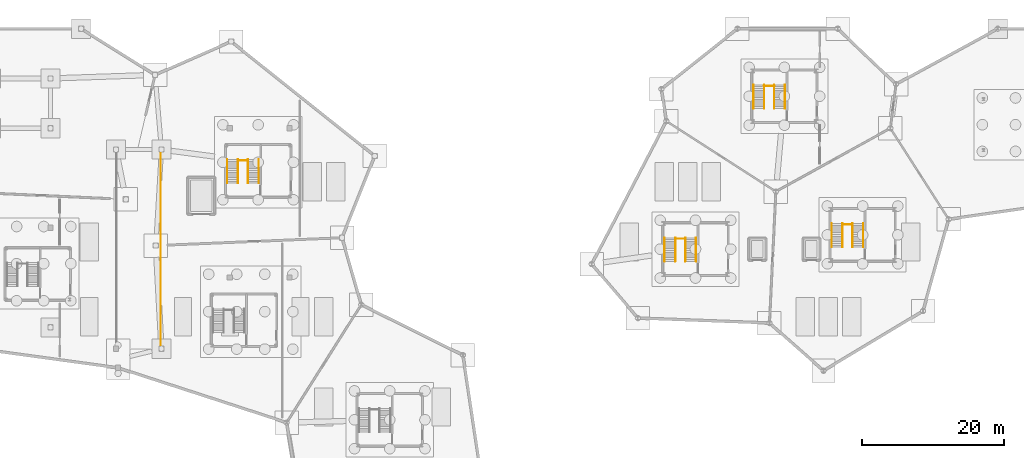
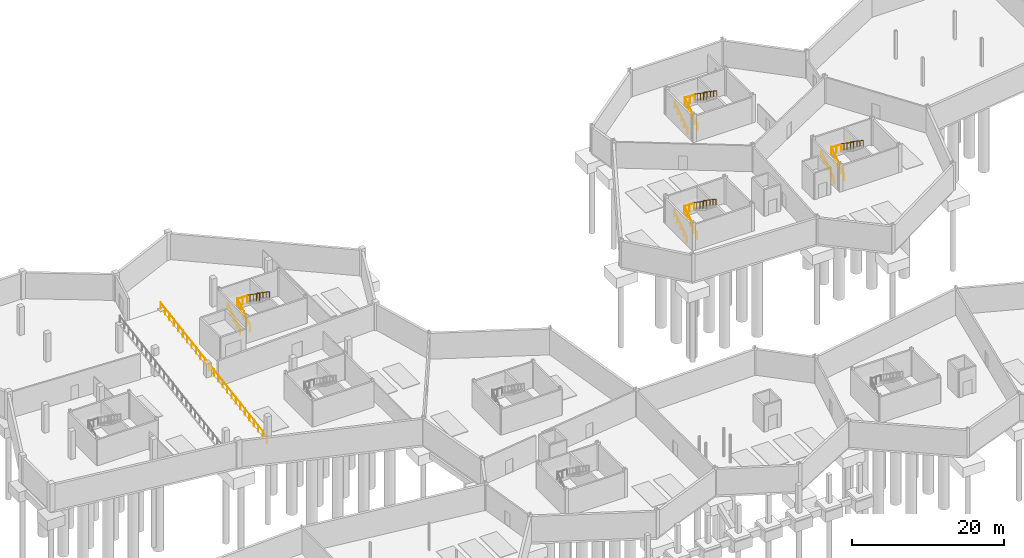
# One storey, part 36 of 37: 21 railings.
"""IFC4 building model written with IfcOpenShell, lengths in metres."""

import ifcopenshell
import ifcopenshell.guid

model = None  # the IFC model being written
_history = None  # IfcOwnerHistory: only IFC2X3 demands one
_inside = {}  # id of a spatial element -> (the spatial element, [elements in it])
_under = {}  # id of a project, library or spatial element -> (it, [spatial elements below it])
_declared = {}  # id of a project -> (the project, [libraries it declares])
_typed = {}  # id of a type object -> (the type object, [elements of that type])
_made_of = {}  # id of a material, layer set ... -> (it, [elements and type objects made of it])


def new_model(schema):
    """Start an empty IFC model of exactly this schema.

    Asked for "IFC4X3", IfcOpenShell would pick the latest addendum, in which some entities
    have other attributes; the version numbers below select the first issue.
    IFC2X3 requires an IfcOwnerHistory on every rooted entity: one is made here for all.
    """
    global model, _history
    if schema == "IFC4X3":
        model = ifcopenshell.file(schema_version=(4, 3, 0, 0))
    else:
        model = ifcopenshell.file(schema=schema)
    _inside.clear()
    _under.clear()
    _declared.clear()
    _typed.clear()
    _made_of.clear()
    _history = None
    if model.schema == "IFC2X3":
        org = make("IfcOrganization", Name="unknown")
        user = make(
            "IfcPersonAndOrganization",
            ThePerson=make("IfcPerson", FamilyName="unknown"),
            TheOrganization=org,
        )
        app = make(
            "IfcApplication",
            ApplicationDeveloper=org,
            Version="unknown",
            ApplicationFullName="unknown",
            ApplicationIdentifier="unknown",
        )
        _history = make(
            "IfcOwnerHistory",
            OwningUser=user,
            OwningApplication=app,
            ChangeAction="ADDED",
            CreationDate=0,
        )
    return model


def make(cls, **values):
    """One entity of the class cls with the attributes given. An attribute that is None is left unset."""
    return model.create_entity(
        cls, **{name: value for name, value in values.items() if value is not None}
    )


def rooted(cls, **values):
    """An entity with a GlobalId (a new one), such as an element, a storey or a relation."""
    return make(cls, GlobalId=ifcopenshell.guid.new(), OwnerHistory=_history, **values)


def si_unit(unit_type, name, prefix=None):
    """IfcSIUnit, for example si_unit("LENGTHUNIT", "METRE", prefix="MILLI")."""
    return make("IfcSIUnit", UnitType=unit_type, Prefix=prefix, Name=name)


def assignment(units):
    """IfcUnitAssignment: the units of a project."""
    return None if units is None else make("IfcUnitAssignment", Units=units)


def point(xyz):
    """IfcCartesianPoint."""
    return None if xyz is None else make("IfcCartesianPoint", Coordinates=xyz)


def direction(xyz):
    """IfcDirection."""
    return None if xyz is None else make("IfcDirection", DirectionRatios=xyz)


def frame(location, z_axis=None, x_axis=None):
    """IfcAxis2Placement3D, a coordinate frame: its origin and axes. An axis left out is left unset."""
    return make(
        "IfcAxis2Placement3D",
        Location=point(location),
        Axis=direction(z_axis),
        RefDirection=direction(x_axis),
    )


def frame_2d(location, x_axis=None):
    """IfcAxis2Placement2D, a coordinate frame in the plane: its origin and x axis."""
    return make(
        "IfcAxis2Placement2D", Location=point(location), RefDirection=direction(x_axis)
    )


def origin():
    """The frame at (0, 0, 0) with its axes left unset."""
    return frame((0.0, 0.0, 0.0))


def origin_2d():
    """The frame at (0, 0) in the plane with its x axis left unset."""
    return frame_2d((0.0, 0.0))


def place(relative_to, where):
    """IfcLocalPlacement: puts the frame where relative to a parent placement (None: the world)."""
    return make(
        "IfcLocalPlacement", PlacementRelTo=relative_to, RelativePlacement=where
    )


def context(
    kind, dimensions, precision=None, world=None, true_north=None, identifier=None
):
    """IfcGeometricRepresentationContext, for example the 3D "Model" context."""
    return make(
        "IfcGeometricRepresentationContext",
        ContextIdentifier=identifier,
        ContextType=kind,
        CoordinateSpaceDimension=dimensions,
        Precision=precision,
        WorldCoordinateSystem=world,
        TrueNorth=true_north,
    )


def subcontext(parent, identifier, kind, view, scale=None):
    """IfcGeometricRepresentationSubContext, for example "Body" below "Model"."""
    return make(
        "IfcGeometricRepresentationSubContext",
        ContextIdentifier=identifier,
        ContextType=kind,
        ParentContext=parent,
        TargetScale=scale,
        TargetView=view,
    )


def project(units=None, contexts=None):
    """IfcProject with its units and contexts."""
    return rooted(
        "IfcProject",
        Name="project",
        RepresentationContexts=contexts,
        UnitsInContext=assignment(units),
    )


def spatial(cls, under=None, at=None, **own):
    """A site, building, storey or space (cls), placed at a placement, below another one or the project."""
    s = rooted(cls, ObjectPlacement=at, **own)
    if under is not None:
        _under.setdefault(under.id(), (under, []))[1].append(s)
    return s


def profile(cls, at=None, kind="AREA", **sizes):
    """A parametric profile (cls). Its sizes go by their IFC names, for example OverallWidth=200.0."""
    return make(cls, ProfileType=kind, Position=at, **sizes)


def circle(**sizes):
    """IfcCircleProfileDef."""
    return profile("IfcCircleProfileDef", **sizes)


def extrude(swept, where, along, depth):
    """IfcExtrudedAreaSolid: the profile swept, set in the frame where, extruded along a direction by depth."""
    return make(
        "IfcExtrudedAreaSolid",
        SweptArea=swept,
        Position=where,
        ExtrudedDirection=direction(along),
        Depth=depth,
    )


def shape(context_of_items, identifier, shape_type, items):
    """IfcShapeRepresentation: the items that make up one representation, for example the "Body"."""
    return make(
        "IfcShapeRepresentation",
        ContextOfItems=context_of_items,
        RepresentationIdentifier=identifier,
        RepresentationType=shape_type,
        Items=items,
    )


def material(Name=None, Category=None):
    """IfcMaterial."""
    return make("IfcMaterial", Name=Name, Category=Category)


def layer(
    of_material, thickness, ventilated=None, Name=None, Category=None, Priority=None
):
    """IfcMaterialLayer: one layer of a wall or slab, of a material (None: an air gap)."""
    return make(
        "IfcMaterialLayer",
        Material=of_material,
        LayerThickness=thickness,
        IsVentilated=ventilated,
        Name=Name,
        Category=Category,
        Priority=Priority,
    )


def layer_set(layers, Name=None):
    """IfcMaterialLayerSet."""
    return make("IfcMaterialLayerSet", MaterialLayers=layers, LayerSetName=Name)


def made_of(thing, what):
    """Note that an element or type object is made of a material, layer set ...; save() writes the relation."""
    if what is not None:
        _made_of.setdefault(what.id(), (what, []))[1].append(thing)
    return thing


def type_object(cls, material=None, **own):
    """A type object (cls), such as IfcWallType, which elements share."""
    return made_of(rooted(cls, **own), material)


def element(
    cls,
    number,
    at=None,
    inside=None,
    cuts=None,
    type_object=None,
    material=None,
    context=None,
    identifier="Body",
    shape_type=None,
    held_by="IfcProductDefinitionShape",
    body=None,
    shapes=None,
    **own,
):
    """One element of the class cls, such as IfcWall. Its Tag is "e" and its number.

    at: its placement. inside: the storey or other place that contains it. cuts: it is an
    opening in that element (IfcRelVoidsElement). A single representation is given by context,
    identifier, shape_type and body (its items); several are given by shapes. held_by: the class
    of the entity that holds the representations. save() writes the other relations.
    """
    e = rooted(cls, Tag="e%d" % number, ObjectPlacement=at, **own)
    if body is not None:
        shapes = [shape(context, identifier, shape_type, body)]
    if shapes is not None:
        e.Representation = make(held_by, Representations=shapes)
    if inside is not None:
        _inside.setdefault(inside.id(), (inside, []))[1].append(e)
    if cuts is not None:
        rooted(
            "IfcRelVoidsElement", RelatingBuildingElement=cuts, RelatedOpeningElement=e
        )
    if type_object is not None:
        _typed.setdefault(type_object.id(), (type_object, []))[1].append(e)
    return made_of(e, material)


def aggregate(whole, parts):
    """IfcRelAggregates: a whole, such as a stair, and the parts it consists of."""
    return rooted("IfcRelAggregates", RelatingObject=whole, RelatedObjects=parts)


def save(model, path):
    """Write the relations noted so far, then the file.

    IfcRelAggregates (storeys below a building ...), IfcRelContainedInSpatialStructure (elements
    in a storey), IfcRelDefinesByType, IfcRelAssociatesMaterial and IfcRelDeclares: one each for
    every whole, place, type object, material and project.
    """
    for whole, parts in _under.values():
        aggregate(whole, parts)
    for where, things in _inside.values():
        rooted(
            "IfcRelContainedInSpatialStructure",
            RelatedElements=things,
            RelatingStructure=where,
        )
    for kind, things in _typed.values():
        rooted("IfcRelDefinesByType", RelatedObjects=things, RelatingType=kind)
    for what, things in _made_of.values():
        rooted("IfcRelAssociatesMaterial", RelatedObjects=things, RelatingMaterial=what)
    for by, libraries in _declared.values():
        rooted("IfcRelDeclares", RelatingContext=by, RelatedDefinitions=libraries)
    model.write(path)


model = new_model("IFC4")

# Units and contexts
model_context = context("Model", 3, precision=1e-05, world=origin(), true_north=direction((0.0, 1.0)))
body_context = subcontext(model_context, "Body", "Model", "MODEL_VIEW")
ifc_project = project(units=[si_unit("LENGTHUNIT", "METRE"), si_unit("AREAUNIT", "SQUARE_METRE"), si_unit("VOLUMEUNIT", "CUBIC_METRE"), si_unit("PLANEANGLEUNIT", "RADIAN"), si_unit("MASSUNIT", "GRAM", prefix="KILO")], contexts=[model_context])

# Site, building, storey
site_placement = place(None, origin())
site = spatial("IfcSite", under=ifc_project, at=site_placement, CompositionType="ELEMENT")
building_placement = place(site_placement, origin())
building = spatial("IfcBuilding", under=site, at=building_placement, Name="Tameran Prism Museum", CompositionType="ELEMENT")
storey_placement = place(building_placement, frame((0.0, 0.0, -4.5)))
storey = spatial("IfcBuildingStorey", under=building, at=storey_placement, Name="B1", CompositionType="ELEMENT", Elevation=-4.5)

# Railings
ifc_material_1 = material(Name="Marine Stainless Steel 316", Category="steel")
ifc_layer_1 = layer(ifc_material_1, 0.054931640625)
ifc_layer_set_1 = layer_set([ifc_layer_1])
railing_type_1 = type_object("IfcRailingType", Name="RL-GR-1120", PredefinedType="GUARDRAIL", material=ifc_layer_set_1)
railing_1_placement = place(storey_placement, frame((104.669921875, 79.280029296875, 0.0)))
element("IfcRailing", 1, at=railing_1_placement, inside=storey, type_object=railing_type_1, Name="Stair Well Guardrail GR-S001", PredefinedType="GUARDRAIL", context=body_context, shape_type="SweptSolid", body=[
    extrude(circle(Radius=0.02392578125, at=origin_2d()), frame((0.0, 0.0, 1.1259765625), z_axis=(0.0, 0.827409030038, 0.561599765858), x_axis=(-1.0, 0.0, 0.0)), (0.0, 0.0, 1.0), 4.00634765625),
    extrude(circle(Radius=0.02099609375, at=origin_2d()), origin(), (0.0, 0.0, 1.0), 1.101806640625),
    extrude(circle(Radius=0.02099609375, at=origin_2d()), frame((0.0, 0.82861328125, 0.5625)), (0.0, 0.0, 1.0), 1.101806640625),
    extrude(circle(Radius=0.02099609375, at=origin_2d()), frame((0.0, 1.657470703125, 1.125)), (0.0, 0.0, 1.0), 1.101806640625),
    extrude(circle(Radius=0.02099609375, at=origin_2d()), frame((0.0, 2.486328125, 1.6875)), (0.0, 0.0, 1.0), 1.101806640625),
    extrude(circle(Radius=0.02099609375, at=origin_2d()), frame((0.0, 3.31494140625, 2.25)), (0.0, 0.0, 1.0), 1.101806640625),
])
railing_2_placement = place(storey_placement, frame((106.080078125, 82.594970703125, 2.25)))
element("IfcRailing", 2, at=railing_2_placement, inside=storey, type_object=railing_type_1, Name="Stair Well Guardrail GR-S002", PredefinedType="GUARDRAIL", context=body_context, shape_type="SweptSolid", body=[
    extrude(circle(Radius=0.02392578125, at=origin_2d()), frame((0.0, 0.0, 1.1259765625), z_axis=(0.0, -0.827409030038, 0.561599765858), x_axis=(1.0, 0.0, 0.0)), (0.0, 0.0, 1.0), 4.00634765625),
    extrude(circle(Radius=0.02099609375, at=origin_2d()), origin(), (0.0, 0.0, 1.0), 1.101806640625),
    extrude(circle(Radius=0.02099609375, at=origin_2d()), frame((0.0, -0.82861328125, 0.5625)), (0.0, 0.0, 1.0), 1.101806640625),
    extrude(circle(Radius=0.02099609375, at=origin_2d()), frame((0.0, -1.657470703125, 1.125)), (0.0, 0.0, 1.0), 1.101806640625),
    extrude(circle(Radius=0.02099609375, at=origin_2d()), frame((0.0, -2.486328125, 1.6875)), (0.0, 0.0, 1.0), 1.101806640625),
    extrude(circle(Radius=0.02099609375, at=origin_2d()), frame((0.0, -3.31494140625, 2.25)), (0.0, 0.0, 1.0), 1.101806640625),
])
railing_3_placement = place(storey_placement, frame((104.64990234375, 82.455078125, 2.25)))
element("IfcRailing", 3, at=railing_3_placement, inside=storey, type_object=railing_type_1, Name="Landing Well Guardrail GR-S003", PredefinedType="GUARDRAIL", context=body_context, shape_type="SweptSolid", body=[
    extrude(circle(Radius=0.02392578125, at=origin_2d()), frame((0.0, 0.0, 1.1259765625), z_axis=(1.0, 0.0, 0.0), x_axis=(0.0, 1.0, 0.0)), (0.0, 0.0, 1.0), 1.4501953125),
    extrude(circle(Radius=0.02099609375, at=origin_2d()), origin(), (0.0, 0.0, 1.0), 1.101806640625),
    extrude(circle(Radius=0.02099609375, at=origin_2d()), frame((0.72509765625, 0.0, 0.0)), (0.0, 0.0, 1.0), 1.101806640625),
    extrude(circle(Radius=0.02099609375, at=origin_2d()), frame((1.4501953125, 0.0, 0.0)), (0.0, 0.0, 1.0), 1.101806640625),
])
railing_4_placement = place(storey_placement, frame((128.169921875, 81.280029296875, 0.0)))
element("IfcRailing", 4, at=railing_4_placement, inside=storey, type_object=railing_type_1, Name="Stair Well Guardrail GR-S029", PredefinedType="GUARDRAIL", context=body_context, shape_type="SweptSolid", body=[
    extrude(circle(Radius=0.02392578125, at=origin_2d()), frame((0.0, 0.0, 1.1259765625), z_axis=(0.0, 0.827409030038, 0.561599765858), x_axis=(-1.0, 0.0, 0.0)), (0.0, 0.0, 1.0), 4.00634765625),
    extrude(circle(Radius=0.02099609375, at=origin_2d()), origin(), (0.0, 0.0, 1.0), 1.101806640625),
    extrude(circle(Radius=0.02099609375, at=origin_2d()), frame((0.0, 0.82861328125, 0.5625)), (0.0, 0.0, 1.0), 1.101806640625),
    extrude(circle(Radius=0.02099609375, at=origin_2d()), frame((0.0, 1.657470703125, 1.125)), (0.0, 0.0, 1.0), 1.101806640625),
    extrude(circle(Radius=0.02099609375, at=origin_2d()), frame((0.0, 2.486328125, 1.6875)), (0.0, 0.0, 1.0), 1.101806640625),
    extrude(circle(Radius=0.02099609375, at=origin_2d()), frame((0.0, 3.31494140625, 2.25)), (0.0, 0.0, 1.0), 1.101806640625),
])
railing_5_placement = place(storey_placement, frame((129.580078125, 84.594970703125, 2.25)))
element("IfcRailing", 5, at=railing_5_placement, inside=storey, type_object=railing_type_1, Name="Stair Well Guardrail GR-S030", PredefinedType="GUARDRAIL", context=body_context, shape_type="SweptSolid", body=[
    extrude(circle(Radius=0.02392578125, at=origin_2d()), frame((0.0, 0.0, 1.1259765625), z_axis=(0.0, -0.827409030038, 0.561599765858), x_axis=(1.0, 0.0, 0.0)), (0.0, 0.0, 1.0), 4.00634765625),
    extrude(circle(Radius=0.02099609375, at=origin_2d()), origin(), (0.0, 0.0, 1.0), 1.101806640625),
    extrude(circle(Radius=0.02099609375, at=origin_2d()), frame((0.0, -0.82861328125, 0.5625)), (0.0, 0.0, 1.0), 1.101806640625),
    extrude(circle(Radius=0.02099609375, at=origin_2d()), frame((0.0, -1.657470703125, 1.125)), (0.0, 0.0, 1.0), 1.101806640625),
    extrude(circle(Radius=0.02099609375, at=origin_2d()), frame((0.0, -2.486328125, 1.6875)), (0.0, 0.0, 1.0), 1.101806640625),
    extrude(circle(Radius=0.02099609375, at=origin_2d()), frame((0.0, -3.31494140625, 2.25)), (0.0, 0.0, 1.0), 1.101806640625),
])
railing_6_placement = place(storey_placement, frame((128.14990234375, 84.455078125, 2.25)))
element("IfcRailing", 6, at=railing_6_placement, inside=storey, type_object=railing_type_1, Name="Landing Well Guardrail GR-S031", PredefinedType="GUARDRAIL", context=body_context, shape_type="SweptSolid", body=[
    extrude(circle(Radius=0.02392578125, at=origin_2d()), frame((0.0, 0.0, 1.1259765625), z_axis=(1.0, 0.0, 0.0), x_axis=(0.0, 1.0, 0.0)), (0.0, 0.0, 1.0), 1.4501953125),
    extrude(circle(Radius=0.02099609375, at=origin_2d()), origin(), (0.0, 0.0, 1.0), 1.101806640625),
    extrude(circle(Radius=0.02099609375, at=origin_2d()), frame((0.72509765625, 0.0, 0.0)), (0.0, 0.0, 1.0), 1.101806640625),
    extrude(circle(Radius=0.02099609375, at=origin_2d()), frame((1.4501953125, 0.0, 0.0)), (0.0, 0.0, 1.0), 1.101806640625),
])
railing_7_placement = place(storey_placement, frame((117.169921875, 100.780029296875, 0.0)))
element("IfcRailing", 7, at=railing_7_placement, inside=storey, type_object=railing_type_1, Name="Stair Well Guardrail GR-S057", PredefinedType="GUARDRAIL", context=body_context, shape_type="SweptSolid", body=[
    extrude(circle(Radius=0.02392578125, at=origin_2d()), frame((0.0, 0.0, 1.1259765625), z_axis=(0.0, 0.827409030038, 0.561599765858), x_axis=(-1.0, 0.0, 0.0)), (0.0, 0.0, 1.0), 4.00634765625),
    extrude(circle(Radius=0.02099609375, at=origin_2d()), origin(), (0.0, 0.0, 1.0), 1.101806640625),
    extrude(circle(Radius=0.02099609375, at=origin_2d()), frame((0.0, 0.82861328125, 0.5625)), (0.0, 0.0, 1.0), 1.101806640625),
    extrude(circle(Radius=0.02099609375, at=origin_2d()), frame((0.0, 1.657470703125, 1.125)), (0.0, 0.0, 1.0), 1.101806640625),
    extrude(circle(Radius=0.02099609375, at=origin_2d()), frame((0.0, 2.486328125, 1.6875)), (0.0, 0.0, 1.0), 1.101806640625),
    extrude(circle(Radius=0.02099609375, at=origin_2d()), frame((0.0, 3.31494140625, 2.25)), (0.0, 0.0, 1.0), 1.101806640625),
])
railing_8_placement = place(storey_placement, frame((118.580078125, 104.094970703125, 2.25)))
element("IfcRailing", 8, at=railing_8_placement, inside=storey, type_object=railing_type_1, Name="Stair Well Guardrail GR-S058", PredefinedType="GUARDRAIL", context=body_context, shape_type="SweptSolid", body=[
    extrude(circle(Radius=0.02392578125, at=origin_2d()), frame((0.0, 0.0, 1.1259765625), z_axis=(0.0, -0.827409030038, 0.561599765858), x_axis=(1.0, 0.0, 0.0)), (0.0, 0.0, 1.0), 4.00634765625),
    extrude(circle(Radius=0.02099609375, at=origin_2d()), origin(), (0.0, 0.0, 1.0), 1.101806640625),
    extrude(circle(Radius=0.02099609375, at=origin_2d()), frame((0.0, -0.82861328125, 0.5625)), (0.0, 0.0, 1.0), 1.101806640625),
    extrude(circle(Radius=0.02099609375, at=origin_2d()), frame((0.0, -1.657470703125, 1.125)), (0.0, 0.0, 1.0), 1.101806640625),
    extrude(circle(Radius=0.02099609375, at=origin_2d()), frame((0.0, -2.486328125, 1.6875)), (0.0, 0.0, 1.0), 1.101806640625),
    extrude(circle(Radius=0.02099609375, at=origin_2d()), frame((0.0, -3.31494140625, 2.25)), (0.0, 0.0, 1.0), 1.101806640625),
])
railing_9_placement = place(storey_placement, frame((117.14990234375, 103.955078125, 2.25)))
element("IfcRailing", 9, at=railing_9_placement, inside=storey, type_object=railing_type_1, Name="Landing Well Guardrail GR-S059", PredefinedType="GUARDRAIL", context=body_context, shape_type="SweptSolid", body=[
    extrude(circle(Radius=0.02392578125, at=origin_2d()), frame((0.0, 0.0, 1.1259765625), z_axis=(1.0, 0.0, 0.0), x_axis=(0.0, 1.0, 0.0)), (0.0, 0.0, 1.0), 1.4501953125),
    extrude(circle(Radius=0.02099609375, at=origin_2d()), origin(), (0.0, 0.0, 1.0), 1.101806640625),
    extrude(circle(Radius=0.02099609375, at=origin_2d()), frame((0.72509765625, 0.0, 0.0)), (0.0, 0.0, 1.0), 1.101806640625),
    extrude(circle(Radius=0.02099609375, at=origin_2d()), frame((1.4501953125, 0.0, 0.0)), (0.0, 0.0, 1.0), 1.101806640625),
])
railing_10_placement = place(storey_placement, frame((43.169921875, 90.280029296875, 0.0)))
element("IfcRailing", 10, at=railing_10_placement, inside=storey, type_object=railing_type_1, Name="Stair Well Guardrail GR-S197", PredefinedType="GUARDRAIL", context=body_context, shape_type="SweptSolid", body=[
    extrude(circle(Radius=0.02392578125, at=origin_2d()), frame((0.0, 0.0, 1.1259765625), z_axis=(0.0, 0.827409030038, 0.561599765858), x_axis=(-1.0, 0.0, 0.0)), (0.0, 0.0, 1.0), 4.00634765625),
    extrude(circle(Radius=0.02099609375, at=origin_2d()), origin(), (0.0, 0.0, 1.0), 1.101806640625),
    extrude(circle(Radius=0.02099609375, at=origin_2d()), frame((0.0, 0.82861328125, 0.5625)), (0.0, 0.0, 1.0), 1.101806640625),
    extrude(circle(Radius=0.02099609375, at=origin_2d()), frame((0.0, 1.657470703125, 1.125)), (0.0, 0.0, 1.0), 1.101806640625),
    extrude(circle(Radius=0.02099609375, at=origin_2d()), frame((0.0, 2.486328125, 1.6875)), (0.0, 0.0, 1.0), 1.101806640625),
    extrude(circle(Radius=0.02099609375, at=origin_2d()), frame((0.0, 3.31494140625, 2.25)), (0.0, 0.0, 1.0), 1.101806640625),
])
railing_11_placement = place(storey_placement, frame((44.580078125, 93.594970703125, 2.25)))
element("IfcRailing", 11, at=railing_11_placement, inside=storey, type_object=railing_type_1, Name="Stair Well Guardrail GR-S198", PredefinedType="GUARDRAIL", context=body_context, shape_type="SweptSolid", body=[
    extrude(circle(Radius=0.02392578125, at=origin_2d()), frame((0.0, 0.0, 1.1259765625), z_axis=(0.0, -0.827409030038, 0.561599765858), x_axis=(1.0, 0.0, 0.0)), (0.0, 0.0, 1.0), 4.00634765625),
    extrude(circle(Radius=0.02099609375, at=origin_2d()), origin(), (0.0, 0.0, 1.0), 1.101806640625),
    extrude(circle(Radius=0.02099609375, at=origin_2d()), frame((0.0, -0.82861328125, 0.5625)), (0.0, 0.0, 1.0), 1.101806640625),
    extrude(circle(Radius=0.02099609375, at=origin_2d()), frame((0.0, -1.657470703125, 1.125)), (0.0, 0.0, 1.0), 1.101806640625),
    extrude(circle(Radius=0.02099609375, at=origin_2d()), frame((0.0, -2.486328125, 1.6875)), (0.0, 0.0, 1.0), 1.101806640625),
    extrude(circle(Radius=0.02099609375, at=origin_2d()), frame((0.0, -3.31494140625, 2.25)), (0.0, 0.0, 1.0), 1.101806640625),
])
railing_12_placement = place(storey_placement, frame((43.14990234375, 93.455078125, 2.25)))
element("IfcRailing", 12, at=railing_12_placement, inside=storey, type_object=railing_type_1, Name="Landing Well Guardrail GR-S199", PredefinedType="GUARDRAIL", context=body_context, shape_type="SweptSolid", body=[
    extrude(circle(Radius=0.02392578125, at=origin_2d()), frame((0.0, 0.0, 1.1259765625), z_axis=(1.0, 0.0, 0.0), x_axis=(0.0, 1.0, 0.0)), (0.0, 0.0, 1.0), 1.4501953125),
    extrude(circle(Radius=0.02099609375, at=origin_2d()), origin(), (0.0, 0.0, 1.0), 1.101806640625),
    extrude(circle(Radius=0.02099609375, at=origin_2d()), frame((0.72509765625, 0.0, 0.0)), (0.0, 0.0, 1.0), 1.101806640625),
    extrude(circle(Radius=0.02099609375, at=origin_2d()), frame((1.4501953125, 0.0, 0.0)), (0.0, 0.0, 1.0), 1.101806640625),
])
railing_13_placement = place(storey_placement, frame((32.300048828125, 67.0, 0.0)))
element("IfcRailing", 13, at=railing_13_placement, inside=storey, type_object=railing_type_1, Name="Ramp Flight Guardrail GR-RS02", PredefinedType="GUARDRAIL", context=body_context, shape_type="SweptSolid", body=[
    extrude(circle(Radius=0.02392578125, at=origin_2d()), frame((0.0, 0.0, 1.1259765625), z_axis=(0.0, 0.987330371277, 0.158678095384), x_axis=(-1.0, 0.0, 0.0)), (0.0, 0.0, 1.0), 28.359375),
    extrude(circle(Radius=0.02099609375, at=origin_2d()), origin(), (0.0, 0.0, 1.0), 1.101806640625),
    extrude(circle(Radius=0.02099609375, at=origin_2d()), frame((0.0, 1.166748046875, 0.1875)), (0.0, 0.0, 1.0), 1.101806640625),
    extrude(circle(Radius=0.02099609375, at=origin_2d()), frame((0.0, 2.333251953125, 0.375)), (0.0, 0.0, 1.0), 1.101806640625),
    extrude(circle(Radius=0.02099609375, at=origin_2d()), frame((0.0, 3.5, 0.5625)), (0.0, 0.0, 1.0), 1.101806640625),
    extrude(circle(Radius=0.02099609375, at=origin_2d()), frame((0.0, 4.666748046875, 0.75)), (0.0, 0.0, 1.0), 1.101806640625),
    extrude(circle(Radius=0.02099609375, at=origin_2d()), frame((0.0, 5.833251953125, 0.9375)), (0.0, 0.0, 1.0), 1.101806640625),
    extrude(circle(Radius=0.02099609375, at=origin_2d()), frame((0.0, 7.0, 1.125)), (0.0, 0.0, 1.0), 1.101806640625),
    extrude(circle(Radius=0.02099609375, at=origin_2d()), frame((0.0, 8.166748046875, 1.3125)), (0.0, 0.0, 1.0), 1.101806640625),
    extrude(circle(Radius=0.02099609375, at=origin_2d()), frame((0.0, 9.333251953125, 1.5)), (0.0, 0.0, 1.0), 1.101806640625),
    extrude(circle(Radius=0.02099609375, at=origin_2d()), frame((0.0, 10.5, 1.6875)), (0.0, 0.0, 1.0), 1.101806640625),
    extrude(circle(Radius=0.02099609375, at=origin_2d()), frame((0.0, 11.666748046875, 1.875)), (0.0, 0.0, 1.0), 1.101806640625),
    extrude(circle(Radius=0.02099609375, at=origin_2d()), frame((0.0, 12.833251953125, 2.0625)), (0.0, 0.0, 1.0), 1.101806640625),
    extrude(circle(Radius=0.02099609375, at=origin_2d()), frame((0.0, 14.0, 2.25)), (0.0, 0.0, 1.0), 1.101806640625),
    extrude(circle(Radius=0.02099609375, at=origin_2d()), frame((0.0, 15.166748046875, 2.4375)), (0.0, 0.0, 1.0), 1.101806640625),
    extrude(circle(Radius=0.02099609375, at=origin_2d()), frame((0.0, 16.333251953125, 2.625)), (0.0, 0.0, 1.0), 1.101806640625),
    extrude(circle(Radius=0.02099609375, at=origin_2d()), frame((0.0, 17.5, 2.8125)), (0.0, 0.0, 1.0), 1.101806640625),
    extrude(circle(Radius=0.02099609375, at=origin_2d()), frame((0.0, 18.666748046875, 3.0)), (0.0, 0.0, 1.0), 1.101806640625),
    extrude(circle(Radius=0.02099609375, at=origin_2d()), frame((0.0, 19.833251953125, 3.1875)), (0.0, 0.0, 1.0), 1.101806640625),
    extrude(circle(Radius=0.02099609375, at=origin_2d()), frame((0.0, 21.0, 3.375)), (0.0, 0.0, 1.0), 1.101806640625),
    extrude(circle(Radius=0.02099609375, at=origin_2d()), frame((0.0, 22.166748046875, 3.5625)), (0.0, 0.0, 1.0), 1.101806640625),
    extrude(circle(Radius=0.02099609375, at=origin_2d()), frame((0.0, 23.333251953125, 3.75)), (0.0, 0.0, 1.0), 1.101806640625),
    extrude(circle(Radius=0.02099609375, at=origin_2d()), frame((0.0, 24.5, 3.9375)), (0.0, 0.0, 1.0), 1.101806640625),
    extrude(circle(Radius=0.02099609375, at=origin_2d()), frame((0.0, 25.666748046875, 4.125)), (0.0, 0.0, 1.0), 1.101806640625),
    extrude(circle(Radius=0.02099609375, at=origin_2d()), frame((0.0, 26.833251953125, 4.3125)), (0.0, 0.0, 1.0), 1.101806640625),
    extrude(circle(Radius=0.02099609375, at=origin_2d()), frame((0.0, 28.0, 4.5)), (0.0, 0.0, 1.0), 1.101806640625),
])
ifc_material_2 = material(Name="Brushed Stainless Steel 316", Category="steel")
ifc_layer_2 = layer(ifc_material_2, 0.048095703125)
ifc_layer_set_2 = layer_set([ifc_layer_2])
railing_type_2 = type_object("IfcRailingType", Name="RL-HR-920", PredefinedType="HANDRAIL", material=ifc_layer_set_2)
railing_14_placement = place(storey_placement, frame((103.159912109375, 79.280029296875, 0.0)))
element("IfcRailing", 14, at=railing_14_placement, inside=storey, type_object=railing_type_2, Name="Stair Flight Handrail HR-001", PredefinedType="HANDRAIL", context=body_context, shape_type="SweptSolid", body=[
    extrude(circle(Radius=0.02392578125, at=origin_2d()), frame((0.0, 0.0, 0.89599609375), z_axis=(0.0, 0.827409030038, 0.561599765858), x_axis=(-1.0, 0.0, 0.0)), (0.0, 0.0, 1.0), 4.00634765625),
    extrude(circle(Radius=0.02099609375, at=origin_2d()), origin(), (0.0, 0.0, 1.0), 0.871826171875),
    extrude(circle(Radius=0.02099609375, at=origin_2d()), frame((0.0, 0.82861328125, 0.5625)), (0.0, 0.0, 1.0), 0.871826171875),
    extrude(circle(Radius=0.02099609375, at=origin_2d()), frame((0.0, 1.657470703125, 1.125)), (0.0, 0.0, 1.0), 0.871826171875),
    extrude(circle(Radius=0.02099609375, at=origin_2d()), frame((0.0, 2.486328125, 1.6875)), (0.0, 0.0, 1.0), 0.871826171875),
    extrude(circle(Radius=0.02099609375, at=origin_2d()), frame((0.0, 3.31494140625, 2.25)), (0.0, 0.0, 1.0), 0.871826171875),
])
railing_15_placement = place(storey_placement, frame((107.590087890625, 82.594970703125, 2.25)))
element("IfcRailing", 15, at=railing_15_placement, inside=storey, type_object=railing_type_2, Name="Stair Flight Handrail HR-002", PredefinedType="HANDRAIL", context=body_context, shape_type="SweptSolid", body=[
    extrude(circle(Radius=0.02392578125, at=origin_2d()), frame((0.0, 0.0, 0.89599609375), z_axis=(0.0, -0.827409030038, 0.561599765858), x_axis=(1.0, 0.0, 0.0)), (0.0, 0.0, 1.0), 4.00634765625),
    extrude(circle(Radius=0.02099609375, at=origin_2d()), origin(), (0.0, 0.0, 1.0), 0.871826171875),
    extrude(circle(Radius=0.02099609375, at=origin_2d()), frame((0.0, -0.82861328125, 0.5625)), (0.0, 0.0, 1.0), 0.871826171875),
    extrude(circle(Radius=0.02099609375, at=origin_2d()), frame((0.0, -1.657470703125, 1.125)), (0.0, 0.0, 1.0), 0.871826171875),
    extrude(circle(Radius=0.02099609375, at=origin_2d()), frame((0.0, -2.486328125, 1.6875)), (0.0, 0.0, 1.0), 0.871826171875),
    extrude(circle(Radius=0.02099609375, at=origin_2d()), frame((0.0, -3.31494140625, 2.25)), (0.0, 0.0, 1.0), 0.871826171875),
])
railing_16_placement = place(storey_placement, frame((126.659912109375, 81.280029296875, 0.0)))
element("IfcRailing", 16, at=railing_16_placement, inside=storey, type_object=railing_type_2, Name="Stair Flight Handrail HR-015", PredefinedType="HANDRAIL", context=body_context, shape_type="SweptSolid", body=[
    extrude(circle(Radius=0.02392578125, at=origin_2d()), frame((0.0, 0.0, 0.89599609375), z_axis=(0.0, 0.827409030038, 0.561599765858), x_axis=(-1.0, 0.0, 0.0)), (0.0, 0.0, 1.0), 4.00634765625),
    extrude(circle(Radius=0.02099609375, at=origin_2d()), origin(), (0.0, 0.0, 1.0), 0.871826171875),
    extrude(circle(Radius=0.02099609375, at=origin_2d()), frame((0.0, 0.82861328125, 0.5625)), (0.0, 0.0, 1.0), 0.871826171875),
    extrude(circle(Radius=0.02099609375, at=origin_2d()), frame((0.0, 1.657470703125, 1.125)), (0.0, 0.0, 1.0), 0.871826171875),
    extrude(circle(Radius=0.02099609375, at=origin_2d()), frame((0.0, 2.486328125, 1.6875)), (0.0, 0.0, 1.0), 0.871826171875),
    extrude(circle(Radius=0.02099609375, at=origin_2d()), frame((0.0, 3.31494140625, 2.25)), (0.0, 0.0, 1.0), 0.871826171875),
])
railing_17_placement = place(storey_placement, frame((131.090087890625, 84.594970703125, 2.25)))
element("IfcRailing", 17, at=railing_17_placement, inside=storey, type_object=railing_type_2, Name="Stair Flight Handrail HR-016", PredefinedType="HANDRAIL", context=body_context, shape_type="SweptSolid", body=[
    extrude(circle(Radius=0.02392578125, at=origin_2d()), frame((0.0, 0.0, 0.89599609375), z_axis=(0.0, -0.827409030038, 0.561599765858), x_axis=(1.0, 0.0, 0.0)), (0.0, 0.0, 1.0), 4.00634765625),
    extrude(circle(Radius=0.02099609375, at=origin_2d()), origin(), (0.0, 0.0, 1.0), 0.871826171875),
    extrude(circle(Radius=0.02099609375, at=origin_2d()), frame((0.0, -0.82861328125, 0.5625)), (0.0, 0.0, 1.0), 0.871826171875),
    extrude(circle(Radius=0.02099609375, at=origin_2d()), frame((0.0, -1.657470703125, 1.125)), (0.0, 0.0, 1.0), 0.871826171875),
    extrude(circle(Radius=0.02099609375, at=origin_2d()), frame((0.0, -2.486328125, 1.6875)), (0.0, 0.0, 1.0), 0.871826171875),
    extrude(circle(Radius=0.02099609375, at=origin_2d()), frame((0.0, -3.31494140625, 2.25)), (0.0, 0.0, 1.0), 0.871826171875),
])
railing_18_placement = place(storey_placement, frame((115.659912109375, 100.780029296875, 0.0)))
element("IfcRailing", 18, at=railing_18_placement, inside=storey, type_object=railing_type_2, Name="Stair Flight Handrail HR-029", PredefinedType="HANDRAIL", context=body_context, shape_type="SweptSolid", body=[
    extrude(circle(Radius=0.02392578125, at=origin_2d()), frame((0.0, 0.0, 0.89599609375), z_axis=(0.0, 0.827409030038, 0.561599765858), x_axis=(-1.0, 0.0, 0.0)), (0.0, 0.0, 1.0), 4.00634765625),
    extrude(circle(Radius=0.02099609375, at=origin_2d()), origin(), (0.0, 0.0, 1.0), 0.871826171875),
    extrude(circle(Radius=0.02099609375, at=origin_2d()), frame((0.0, 0.82861328125, 0.5625)), (0.0, 0.0, 1.0), 0.871826171875),
    extrude(circle(Radius=0.02099609375, at=origin_2d()), frame((0.0, 1.657470703125, 1.125)), (0.0, 0.0, 1.0), 0.871826171875),
    extrude(circle(Radius=0.02099609375, at=origin_2d()), frame((0.0, 2.486328125, 1.6875)), (0.0, 0.0, 1.0), 0.871826171875),
    extrude(circle(Radius=0.02099609375, at=origin_2d()), frame((0.0, 3.31494140625, 2.25)), (0.0, 0.0, 1.0), 0.871826171875),
])
railing_19_placement = place(storey_placement, frame((120.090087890625, 104.094970703125, 2.25)))
element("IfcRailing", 19, at=railing_19_placement, inside=storey, type_object=railing_type_2, Name="Stair Flight Handrail HR-030", PredefinedType="HANDRAIL", context=body_context, shape_type="SweptSolid", body=[
    extrude(circle(Radius=0.02392578125, at=origin_2d()), frame((0.0, 0.0, 0.89599609375), z_axis=(0.0, -0.827409030038, 0.561599765858), x_axis=(1.0, 0.0, 0.0)), (0.0, 0.0, 1.0), 4.00634765625),
    extrude(circle(Radius=0.02099609375, at=origin_2d()), origin(), (0.0, 0.0, 1.0), 0.871826171875),
    extrude(circle(Radius=0.02099609375, at=origin_2d()), frame((0.0, -0.82861328125, 0.5625)), (0.0, 0.0, 1.0), 0.871826171875),
    extrude(circle(Radius=0.02099609375, at=origin_2d()), frame((0.0, -1.657470703125, 1.125)), (0.0, 0.0, 1.0), 0.871826171875),
    extrude(circle(Radius=0.02099609375, at=origin_2d()), frame((0.0, -2.486328125, 1.6875)), (0.0, 0.0, 1.0), 0.871826171875),
    extrude(circle(Radius=0.02099609375, at=origin_2d()), frame((0.0, -3.31494140625, 2.25)), (0.0, 0.0, 1.0), 0.871826171875),
])
railing_20_placement = place(storey_placement, frame((41.659912109375, 90.280029296875, 0.0)))
element("IfcRailing", 20, at=railing_20_placement, inside=storey, type_object=railing_type_2, Name="Stair Flight Handrail HR-099", PredefinedType="HANDRAIL", context=body_context, shape_type="SweptSolid", body=[
    extrude(circle(Radius=0.02392578125, at=origin_2d()), frame((0.0, 0.0, 0.89599609375), z_axis=(0.0, 0.827409030038, 0.561599765858), x_axis=(-1.0, 0.0, 0.0)), (0.0, 0.0, 1.0), 4.00634765625),
    extrude(circle(Radius=0.02099609375, at=origin_2d()), origin(), (0.0, 0.0, 1.0), 0.871826171875),
    extrude(circle(Radius=0.02099609375, at=origin_2d()), frame((0.0, 0.82861328125, 0.5625)), (0.0, 0.0, 1.0), 0.871826171875),
    extrude(circle(Radius=0.02099609375, at=origin_2d()), frame((0.0, 1.657470703125, 1.125)), (0.0, 0.0, 1.0), 0.871826171875),
    extrude(circle(Radius=0.02099609375, at=origin_2d()), frame((0.0, 2.486328125, 1.6875)), (0.0, 0.0, 1.0), 0.871826171875),
    extrude(circle(Radius=0.02099609375, at=origin_2d()), frame((0.0, 3.31494140625, 2.25)), (0.0, 0.0, 1.0), 0.871826171875),
])
railing_21_placement = place(storey_placement, frame((46.090087890625, 93.594970703125, 2.25)))
element("IfcRailing", 21, at=railing_21_placement, inside=storey, type_object=railing_type_2, Name="Stair Flight Handrail HR-100", PredefinedType="HANDRAIL", context=body_context, shape_type="SweptSolid", body=[
    extrude(circle(Radius=0.02392578125, at=origin_2d()), frame((0.0, 0.0, 0.89599609375), z_axis=(0.0, -0.827409030038, 0.561599765858), x_axis=(1.0, 0.0, 0.0)), (0.0, 0.0, 1.0), 4.00634765625),
    extrude(circle(Radius=0.02099609375, at=origin_2d()), origin(), (0.0, 0.0, 1.0), 0.871826171875),
    extrude(circle(Radius=0.02099609375, at=origin_2d()), frame((0.0, -0.82861328125, 0.5625)), (0.0, 0.0, 1.0), 0.871826171875),
    extrude(circle(Radius=0.02099609375, at=origin_2d()), frame((0.0, -1.657470703125, 1.125)), (0.0, 0.0, 1.0), 0.871826171875),
    extrude(circle(Radius=0.02099609375, at=origin_2d()), frame((0.0, -2.486328125, 1.6875)), (0.0, 0.0, 1.0), 0.871826171875),
    extrude(circle(Radius=0.02099609375, at=origin_2d()), frame((0.0, -3.31494140625, 2.25)), (0.0, 0.0, 1.0), 0.871826171875),
])

save(model, "model.ifc")
